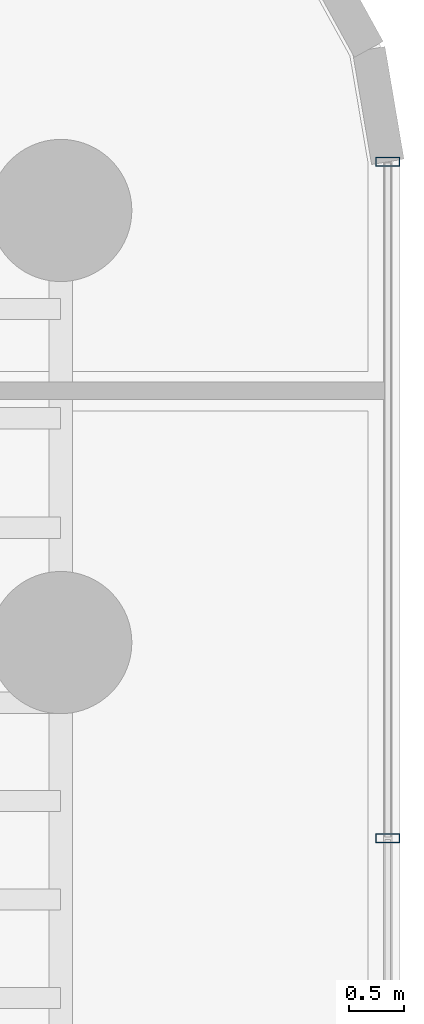
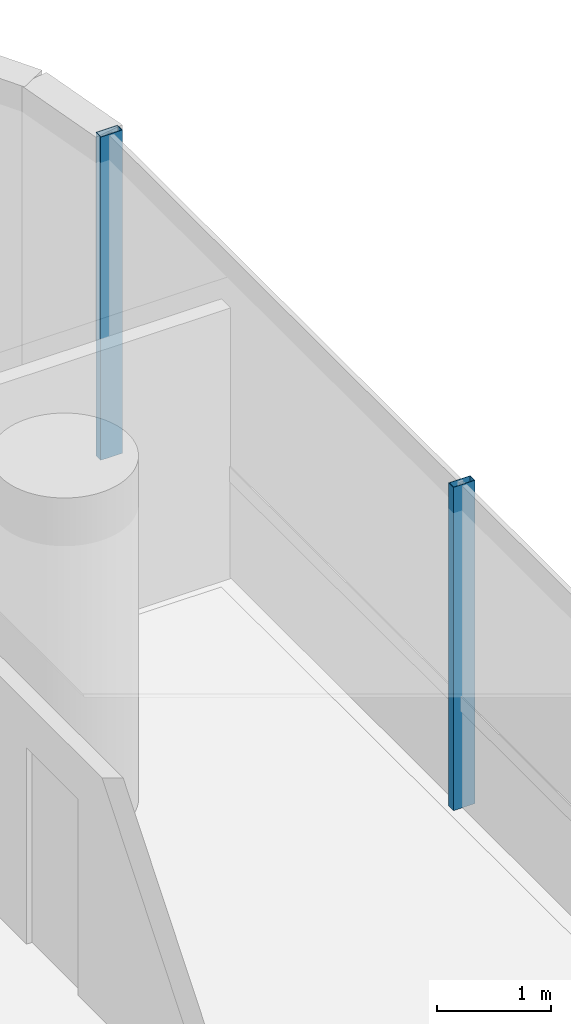
# One storey, part 27 of 39: 2 members, 1 element without a shape of its own.
"""IFC4 building model written with IfcOpenShell, lengths in metres."""

from ifc_helpers import new_model, si_unit, direction, frame, origin, origin_2d, place, context, subcontext, project, spatial, hollow_rectangle, extrude, source, transform, mapped, material, material_profile, profile_set, type_object, element, aggregate, save


model = new_model("IFC4")

# Units and contexts
model_context = context("Model", 3, precision=1e-05, world=origin(), true_north=direction((0.0, 1.0)))
body_context = subcontext(model_context, "Body", "Model", "MODEL_VIEW")
ifc_project = project(units=[si_unit("LENGTHUNIT", "METRE"), si_unit("AREAUNIT", "SQUARE_METRE"), si_unit("VOLUMEUNIT", "CUBIC_METRE"), si_unit("PLANEANGLEUNIT", "RADIAN"), si_unit("MASSUNIT", "GRAM", prefix="KILO")], contexts=[model_context])

# Site, building, storey
site_placement = place(None, origin())
site = spatial("IfcSite", under=ifc_project, at=site_placement, CompositionType="ELEMENT")
building_placement = place(site_placement, origin())
building = spatial("IfcBuilding", under=site, at=building_placement, Name="Valdorenza Pilgrim Sanctuary Tower", CompositionType="ELEMENT")
storey_placement = place(building_placement, frame((0.0, 0.0, 33.39990234375)))
storey = spatial("IfcBuildingStorey", under=building, at=storey_placement, Name="L07", CompositionType="ELEMENT", Elevation=33.39990234375)

# Curtain wall, members
ifc_material_1 = material(Name="Curtain-wall IGU glazing", Category="glass")
curtain_wall_type = type_object("IfcCurtainWallType", Name="CW-SYS-03", PredefinedType="NOTDEFINED", material=ifc_material_1)
curtain_wall_placement = place(storey_placement, origin())
curtain_wall = element("IfcCurtainWall", 1, at=curtain_wall_placement, inside=storey, type_object=curtain_wall_type, Name="L07 Curtain Wall CW-L07-1-21", PredefinedType="NOTDEFINED")
ifc_material_2 = material(Name="Anodised aluminium AW-6060", Category="aluminium")
ifc_material_profile = material_profile(ifc_material_2, hollow_rectangle(XDim=0.0849609375, YDim=0.219970703125, WallThickness=0.0048828125, at=origin_2d()), Name="ALU-M 220x85x5")
ifc_profile_set = profile_set([ifc_material_profile], Name="Anodised aluminium AW-6060")
member_type = type_object("IfcMemberType", Name="CW-MUL-03", PredefinedType="MULLION", material=ifc_profile_set)
shared_shape = source(origin(), body_context, "Body", "SweptSolid", [
    extrude(hollow_rectangle(XDim=0.0849609375, YDim=0.219970703125, WallThickness=0.0048828125, at=origin_2d()), origin(), (0.0, 0.0, 1.0), 3.460205078125),
])
member_1_placement = place(storey_placement, frame((31.389892578125, 13.945068359375, 0.0), z_axis=(0.0, 0.0, 1.0), x_axis=(0.0, -1.0, 0.0)))
member_1 = element("IfcMember", 2, at=member_1_placement, type_object=member_type, Name="CW-L07-1-21 Mullion 1", PredefinedType="MULLION", context=body_context, shape_type="MappedRepresentation", body=[
    mapped(shared_shape, transform((0.0, 0.0, 0.0), x_axis=(1.0, 0.0, 0.0), y_axis=(0.0, 1.0, 0.0), z_axis=(0.0, 0.0, 1.0), scale=1.0)),
])
member_2_placement = place(storey_placement, frame((31.389892578125, 7.761474609375, 0.0), z_axis=(0.0, 0.0, 1.0), x_axis=(0.0, -1.0, 0.0)))
member_2 = element("IfcMember", 3, at=member_2_placement, type_object=member_type, Name="CW-L07-1-21 Mullion 2", PredefinedType="MULLION", context=body_context, shape_type="MappedRepresentation", body=[
    mapped(shared_shape, transform((0.0, 0.0, 0.0), x_axis=(1.0, 0.0, 0.0), y_axis=(0.0, 1.0, 0.0), z_axis=(0.0, 0.0, 1.0), scale=1.0)),
])
aggregate(curtain_wall, [member_1, member_2])

save(model, "model.ifc")
